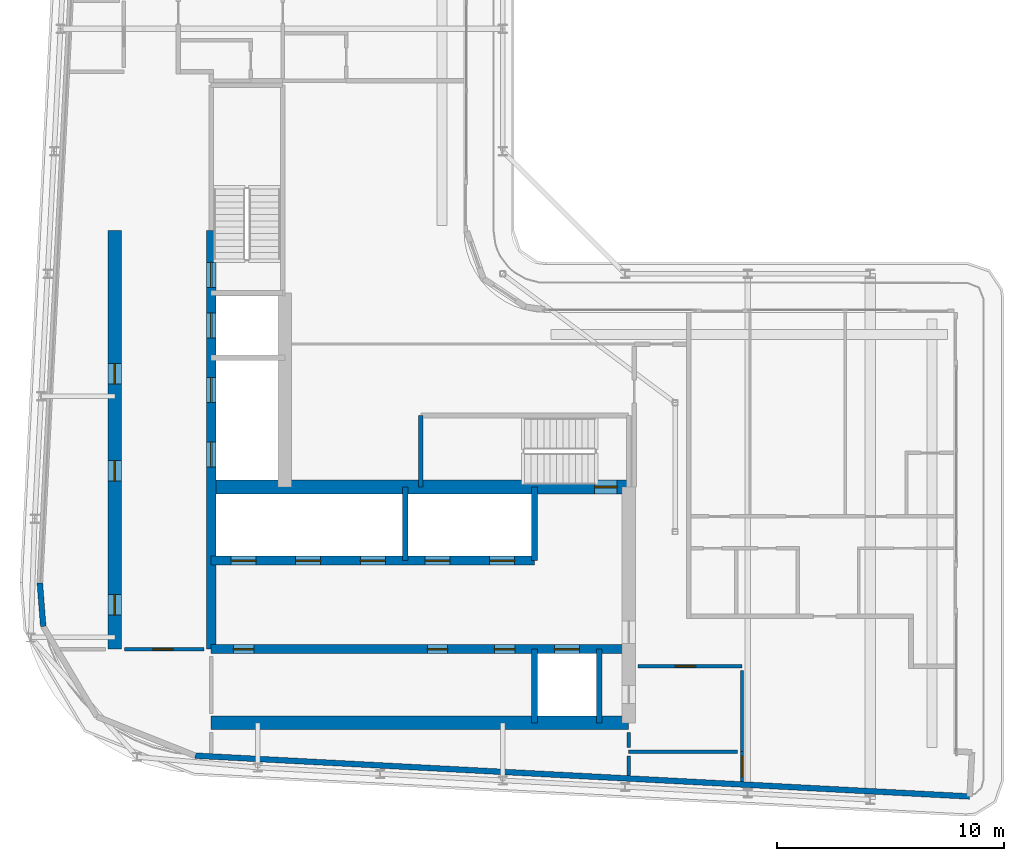
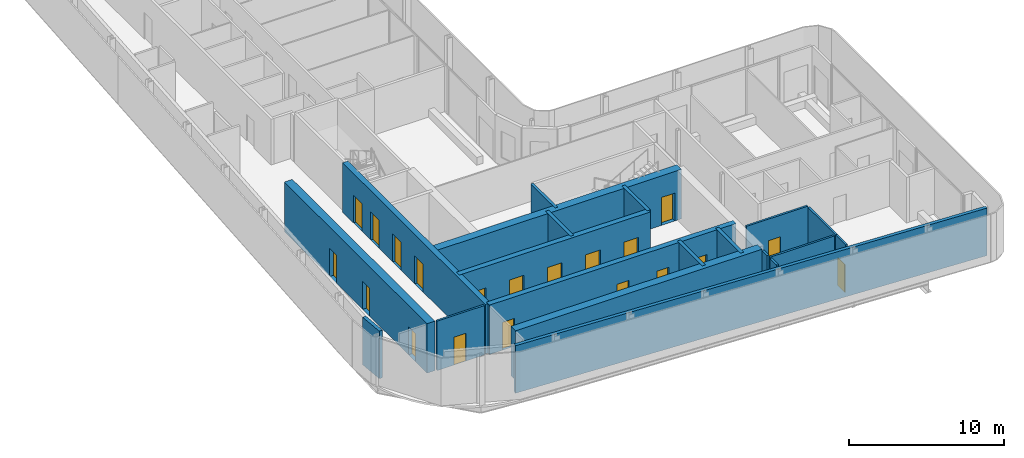
# One storey, part 11 of 21: 20 doors, 20 walls, 20 openings.
"""IFC4 building model written with IfcOpenShell, lengths in metres."""

from ifc_helpers import new_model, si_unit, direction, frame, frame_2d, origin, place, context, subcontext, project, spatial, rectangle, extrude, source, transform, mapped, material, layer, layer_set, type_object, element, fill, save


model = new_model("IFC4")

# Units and contexts
model_context = context("Model", 3, precision=1e-05, world=origin(), true_north=direction((0.0, 1.0)))
body_context = subcontext(model_context, "Body", "Model", "MODEL_VIEW")
ifc_project = project(units=[si_unit("LENGTHUNIT", "METRE"), si_unit("AREAUNIT", "SQUARE_METRE"), si_unit("VOLUMEUNIT", "CUBIC_METRE"), si_unit("PLANEANGLEUNIT", "RADIAN"), si_unit("MASSUNIT", "GRAM", prefix="KILO")], contexts=[model_context])

# Site, building, storey
site_placement = place(None, origin())
site = spatial("IfcSite", under=ifc_project, at=site_placement, CompositionType="ELEMENT")
building_placement = place(site_placement, origin())
building = spatial("IfcBuilding", under=site, at=building_placement, Name="Kheshtan School and Residences Tower", CompositionType="ELEMENT")
storey_placement = place(building_placement, frame((0.0, 0.0, 313.699951171875)))
storey = spatial("IfcBuildingStorey", under=building, at=storey_placement, Name="L74", CompositionType="ELEMENT", Elevation=313.699951171875)

# Wall, openings, doors
ifc_material_1 = material(Name="Concrete C50/60", Category="concrete")
ifc_layer_1 = layer(ifc_material_1, 0.39990234375)
ifc_layer_set_1 = layer_set([ifc_layer_1], Name="Core wall 400 Concrete C50/60")
wall_type_1 = type_object("IfcWallType", Name="Core wall 400 Concrete C50/60", PredefinedType="SHEAR", material=ifc_layer_set_1)
wall_1_placement = place(storey_placement, frame((34.75, 29.050048828125, 0.0), z_axis=(0.0, 0.0, 1.0), x_axis=(1.0, 0.0, 0.0)))
wall_1 = element("IfcWall", 1, at=wall_1_placement, inside=storey, type_object=wall_type_1, Name="Core wall CW-HALL-S1", PredefinedType="SHEAR", context=body_context, shape_type="SweptSolid", body=[
    extrude(rectangle(XDim=18.39990234375, YDim=0.39990234375, at=frame_2d((9.199951171875, 0.0))), origin(), (0.0, 0.0, 1.0), 3.900146484375),
])
opening_1_placement = place(wall_1_placement, frame((15.125, 0.0, 0.0)))
opening_1 = element("IfcOpeningElement", 2, at=opening_1_placement, cuts=wall_1, Name="Opening LD", PredefinedType="OPENING", context=body_context, shape_type="SweptSolid", body=[
    extrude(rectangle(XDim=1.10009765625, YDim=2.199951171875, at=frame_2d((0.550048828125, 1.10009765625))), frame((0.0, 0.2099609375, 0.0), z_axis=(0.0, -1.0, 0.0), x_axis=(1.0, 0.0, 0.0)), (0.0, 0.0, 1.0), 0.419921875),
])
opening_2_placement = place(wall_1_placement, frame((0.97509765625, 0.0, 0.0)))
opening_2 = element("IfcOpeningElement", 3, at=opening_2_placement, cuts=wall_1, Name="Opening SR90", PredefinedType="OPENING", context=body_context, shape_type="SweptSolid", body=[
    extrude(rectangle(XDim=0.89990234375, YDim=2.199951171875, at=frame_2d((0.449951171875, 1.10009765625))), frame((0.0, 0.2099609375, 0.0), z_axis=(0.0, -1.0, 0.0), x_axis=(1.0, 0.0, 0.0)), (0.0, 0.0, 1.0), 0.419921875),
])
opening_3_placement = place(wall_1_placement, frame((9.52490234375, 0.0, 0.0)))
opening_3 = element("IfcOpeningElement", 4, at=opening_3_placement, cuts=wall_1, Name="Opening SR90", PredefinedType="OPENING", context=body_context, shape_type="SweptSolid", body=[
    extrude(rectangle(XDim=0.89990234375, YDim=2.199951171875, at=frame_2d((0.449951171875, 1.10009765625))), frame((0.0, 0.2099609375, 0.0), z_axis=(0.0, -1.0, 0.0), x_axis=(1.0, 0.0, 0.0)), (0.0, 0.0, 1.0), 0.419921875),
])
opening_4_placement = place(wall_1_placement, frame((12.488037109375, 0.0, 0.0)))
opening_4 = element("IfcOpeningElement", 5, at=opening_4_placement, cuts=wall_1, Name="Opening SR90", PredefinedType="OPENING", context=body_context, shape_type="SweptSolid", body=[
    extrude(rectangle(XDim=0.89990234375, YDim=2.199951171875, at=frame_2d((0.449951171875, 1.10009765625))), frame((0.0, 0.2099609375, 0.0), z_axis=(0.0, -1.0, 0.0), x_axis=(1.0, 0.0, 0.0)), (0.0, 0.0, 1.0), 0.419921875),
])
ifc_material_2 = material(Name="Stainless steel door leaves", Category="steel")
door_type_1 = type_object("IfcDoorType", Name="Lift landing door 1100", OperationType="SLIDING_TO_LEFT", PredefinedType="DOOR", material=ifc_material_2)
shared_shape_1 = source(origin(), body_context, "Body", "SweptSolid", [
    extrude(rectangle(XDim=1.10009765625, YDim=2.199951171875, at=frame_2d((0.550048828125, 1.10009765625))), frame((0.0, 0.02490234375, 0.0), z_axis=(0.0, -1.0, 0.0), x_axis=(1.0, 0.0, 0.0)), (0.0, 0.0, 1.0), 0.050048828125),
])
door_1_placement = place(opening_1_placement, origin())
door_1 = element("IfcDoor", 6, at=door_1_placement, inside=storey, type_object=door_type_1, Name="Lift FFL2 landing door", OperationType="SLIDING_TO_LEFT", OverallHeight=2.199951171875, OverallWidth=1.10009765625, PredefinedType="DOOR", context=body_context, shape_type="MappedRepresentation", body=[
    mapped(shared_shape_1, transform((0.0, 0.0, 0.0), x_axis=(1.0, 0.0, 0.0), y_axis=(0.0, 1.0, 0.0), z_axis=(0.0, 0.0, 1.0), scale=1.0)),
])
fill(opening_1, door_1)
ifc_material_3 = material(Name="Steel door leaf, galvanised", Category="steel")
door_type_2 = type_object("IfcDoorType", Name="Service room door 900 steel 90 min", OperationType="SINGLE_SWING_LEFT", PredefinedType="DOOR", material=ifc_material_3)
shared_shape_2 = source(origin(), body_context, "Body", "SweptSolid", [
    extrude(rectangle(XDim=0.89990234375, YDim=2.199951171875, at=frame_2d((0.449951171875, 1.10009765625))), frame((0.0, 0.02490234375, 0.0), z_axis=(0.0, -1.0, 0.0), x_axis=(1.0, 0.0, 0.0)), (0.0, 0.0, 1.0), 0.050048828125),
])
door_2_placement = place(opening_2_placement, origin())
door_2 = element("IfcDoor", 7, at=door_2_placement, inside=storey, type_object=door_type_2, Name="Service room door", OperationType="SINGLE_SWING_LEFT", OverallHeight=2.199951171875, OverallWidth=0.89990234375, PredefinedType="DOOR", context=body_context, shape_type="MappedRepresentation", body=[
    mapped(shared_shape_2, transform((0.0, 0.0, 0.0), x_axis=(1.0, 0.0, 0.0), y_axis=(0.0, 1.0, 0.0), z_axis=(0.0, 0.0, 1.0), scale=1.0)),
])
fill(opening_2, door_2)
door_3_placement = place(opening_3_placement, origin())
door_3 = element("IfcDoor", 8, at=door_3_placement, inside=storey, type_object=door_type_2, Name="Service room door", OperationType="SINGLE_SWING_RIGHT", OverallHeight=2.199951171875, OverallWidth=0.89990234375, PredefinedType="DOOR", context=body_context, shape_type="MappedRepresentation", body=[
    mapped(shared_shape_2, transform((0.0, 0.0, 0.0), x_axis=(1.0, 0.0, 0.0), y_axis=(0.0, 1.0, 0.0), z_axis=(0.0, 0.0, 1.0), scale=1.0)),
])
fill(opening_3, door_3)
door_4_placement = place(opening_4_placement, origin())
door_4 = element("IfcDoor", 9, at=door_4_placement, inside=storey, type_object=door_type_2, Name="Service room door", OperationType="SINGLE_SWING_LEFT", OverallHeight=2.199951171875, OverallWidth=0.89990234375, PredefinedType="DOOR", context=body_context, shape_type="MappedRepresentation", body=[
    mapped(shared_shape_2, transform((0.0, 0.0, 0.0), x_axis=(1.0, 0.0, 0.0), y_axis=(0.0, 1.0, 0.0), z_axis=(0.0, 0.0, 1.0), scale=1.0)),
])
fill(opening_4, door_4)

wall_2_placement = place(storey_placement, frame((34.75, 32.949951171875, 0.0), z_axis=(0.0, 0.0, 1.0), x_axis=(1.0, 0.0, 0.0)))
wall_2 = element("IfcWall", 10, at=wall_2_placement, inside=storey, type_object=wall_type_1, Name="Core wall CW-HALL-S2", PredefinedType="SHEAR", context=body_context, shape_type="SweptSolid", body=[
    extrude(rectangle(XDim=14.25, YDim=0.39990234375, at=frame_2d((7.125, 0.0))), origin(), (0.0, 0.0, 1.0), 3.900146484375),
])
opening_5_placement = place(wall_2_placement, frame((0.875, 0.0, 0.0)))
opening_5 = element("IfcOpeningElement", 11, at=opening_5_placement, cuts=wall_2, Name="Opening LD", PredefinedType="OPENING", context=body_context, shape_type="SweptSolid", body=[
    extrude(rectangle(XDim=1.10009765625, YDim=2.199951171875, at=frame_2d((0.550048828125, 1.10009765625))), frame((0.0, 0.2099609375, 0.0), z_axis=(0.0, -1.0, 0.0), x_axis=(1.0, 0.0, 0.0)), (0.0, 0.0, 1.0), 0.419921875),
])
opening_6_placement = place(wall_2_placement, frame((3.72509765625, 0.0, 0.0)))
opening_6 = element("IfcOpeningElement", 12, at=opening_6_placement, cuts=wall_2, Name="Opening LD", PredefinedType="OPENING", context=body_context, shape_type="SweptSolid", body=[
    extrude(rectangle(XDim=1.10009765625, YDim=2.199951171875, at=frame_2d((0.550048828125, 1.10009765625))), frame((0.0, 0.2099609375, 0.0), z_axis=(0.0, -1.0, 0.0), x_axis=(1.0, 0.0, 0.0)), (0.0, 0.0, 1.0), 0.419921875),
])
opening_7_placement = place(wall_2_placement, frame((6.574951171875, 0.0, 0.0)))
opening_7 = element("IfcOpeningElement", 13, at=opening_7_placement, cuts=wall_2, Name="Opening LD", PredefinedType="OPENING", context=body_context, shape_type="SweptSolid", body=[
    extrude(rectangle(XDim=1.10009765625, YDim=2.199951171875, at=frame_2d((0.550048828125, 1.10009765625))), frame((0.0, 0.2099609375, 0.0), z_axis=(0.0, -1.0, 0.0), x_axis=(1.0, 0.0, 0.0)), (0.0, 0.0, 1.0), 0.419921875),
])
opening_8_placement = place(wall_2_placement, frame((9.425048828125, 0.0, 0.0)))
opening_8 = element("IfcOpeningElement", 14, at=opening_8_placement, cuts=wall_2, Name="Opening LD", PredefinedType="OPENING", context=body_context, shape_type="SweptSolid", body=[
    extrude(rectangle(XDim=1.10009765625, YDim=2.199951171875, at=frame_2d((0.550048828125, 1.10009765625))), frame((0.0, 0.2099609375, 0.0), z_axis=(0.0, -1.0, 0.0), x_axis=(1.0, 0.0, 0.0)), (0.0, 0.0, 1.0), 0.419921875),
])
opening_9_placement = place(wall_2_placement, frame((12.27490234375, 0.0, 0.0)))
opening_9 = element("IfcOpeningElement", 15, at=opening_9_placement, cuts=wall_2, Name="Opening LD", PredefinedType="OPENING", context=body_context, shape_type="SweptSolid", body=[
    extrude(rectangle(XDim=1.10009765625, YDim=2.199951171875, at=frame_2d((0.550048828125, 1.10009765625))), frame((0.0, 0.2099609375, 0.0), z_axis=(0.0, -1.0, 0.0), x_axis=(1.0, 0.0, 0.0)), (0.0, 0.0, 1.0), 0.419921875),
])
door_5_placement = place(opening_5_placement, origin())
door_5 = element("IfcDoor", 16, at=door_5_placement, inside=storey, type_object=door_type_1, Name="Lift P12 landing door", OperationType="SLIDING_TO_LEFT", OverallHeight=2.199951171875, OverallWidth=1.10009765625, PredefinedType="DOOR", context=body_context, shape_type="MappedRepresentation", body=[
    mapped(shared_shape_1, transform((0.0, 0.0, 0.0), x_axis=(1.0, 0.0, 0.0), y_axis=(0.0, 1.0, 0.0), z_axis=(0.0, 0.0, 1.0), scale=1.0)),
])
fill(opening_5, door_5)
door_6_placement = place(opening_6_placement, origin())
door_6 = element("IfcDoor", 17, at=door_6_placement, inside=storey, type_object=door_type_1, Name="Lift P13 landing door", OperationType="SLIDING_TO_LEFT", OverallHeight=2.199951171875, OverallWidth=1.10009765625, PredefinedType="DOOR", context=body_context, shape_type="MappedRepresentation", body=[
    mapped(shared_shape_1, transform((0.0, 0.0, 0.0), x_axis=(1.0, 0.0, 0.0), y_axis=(0.0, 1.0, 0.0), z_axis=(0.0, 0.0, 1.0), scale=1.0)),
])
fill(opening_6, door_6)
door_7_placement = place(opening_7_placement, origin())
door_7 = element("IfcDoor", 18, at=door_7_placement, inside=storey, type_object=door_type_1, Name="Lift P14 landing door", OperationType="SLIDING_TO_LEFT", OverallHeight=2.199951171875, OverallWidth=1.10009765625, PredefinedType="DOOR", context=body_context, shape_type="MappedRepresentation", body=[
    mapped(shared_shape_1, transform((0.0, 0.0, 0.0), x_axis=(1.0, 0.0, 0.0), y_axis=(0.0, 1.0, 0.0), z_axis=(0.0, 0.0, 1.0), scale=1.0)),
])
fill(opening_7, door_7)
door_8_placement = place(opening_8_placement, origin())
door_8 = element("IfcDoor", 19, at=door_8_placement, inside=storey, type_object=door_type_1, Name="Lift P15 landing door", OperationType="SLIDING_TO_LEFT", OverallHeight=2.199951171875, OverallWidth=1.10009765625, PredefinedType="DOOR", context=body_context, shape_type="MappedRepresentation", body=[
    mapped(shared_shape_1, transform((0.0, 0.0, 0.0), x_axis=(1.0, 0.0, 0.0), y_axis=(0.0, 1.0, 0.0), z_axis=(0.0, 0.0, 1.0), scale=1.0)),
])
fill(opening_8, door_8)
door_9_placement = place(opening_9_placement, origin())
door_9 = element("IfcDoor", 20, at=door_9_placement, inside=storey, type_object=door_type_1, Name="Lift P16 landing door", OperationType="SLIDING_TO_LEFT", OverallHeight=2.199951171875, OverallWidth=1.10009765625, PredefinedType="DOOR", context=body_context, shape_type="MappedRepresentation", body=[
    mapped(shared_shape_1, transform((0.0, 0.0, 0.0), x_axis=(1.0, 0.0, 0.0), y_axis=(0.0, 1.0, 0.0), z_axis=(0.0, 0.0, 1.0), scale=1.0)),
])
fill(opening_9, door_9)

wall_3_placement = place(storey_placement, frame((34.75, 29.050048828125, 0.0), z_axis=(0.0, 0.0, 1.0), x_axis=(0.0, 1.0, 0.0)))
wall_3 = element("IfcWall", 21, at=wall_3_placement, inside=storey, type_object=wall_type_1, Name="Core wall CW-HALL-W1", PredefinedType="SHEAR", context=body_context, shape_type="SweptSolid", body=[
    extrude(rectangle(XDim=18.449951171875, YDim=0.39990234375, at=frame_2d((9.22509765625, 0.0))), origin(), (0.0, 0.0, 1.0), 3.900146484375),
])
opening_10_placement = place(wall_3_placement, frame((8.02490234375, 0.0, 0.0)))
opening_10 = element("IfcOpeningElement", 22, at=opening_10_placement, cuts=wall_3, Name="Opening LD", PredefinedType="OPENING", context=body_context, shape_type="SweptSolid", body=[
    extrude(rectangle(XDim=1.10009765625, YDim=2.199951171875, at=frame_2d((0.550048828125, 1.10009765625))), frame((0.0, 0.2099609375, 0.0), z_axis=(0.0, -1.0, 0.0), x_axis=(1.0, 0.0, 0.0)), (0.0, 0.0, 1.0), 0.419921875),
])
opening_11_placement = place(wall_3_placement, frame((10.875, 0.0, 0.0)))
opening_11 = element("IfcOpeningElement", 23, at=opening_11_placement, cuts=wall_3, Name="Opening LD", PredefinedType="OPENING", context=body_context, shape_type="SweptSolid", body=[
    extrude(rectangle(XDim=1.10009765625, YDim=2.199951171875, at=frame_2d((0.550048828125, 1.10009765625))), frame((0.0, 0.2099609375, 0.0), z_axis=(0.0, -1.0, 0.0), x_axis=(1.0, 0.0, 0.0)), (0.0, 0.0, 1.0), 0.419921875),
])
opening_12_placement = place(wall_3_placement, frame((13.72509765625, 0.0, 0.0)))
opening_12 = element("IfcOpeningElement", 24, at=opening_12_placement, cuts=wall_3, Name="Opening LD", PredefinedType="OPENING", context=body_context, shape_type="SweptSolid", body=[
    extrude(rectangle(XDim=1.10009765625, YDim=2.199951171875, at=frame_2d((0.550048828125, 1.10009765625))), frame((0.0, 0.2099609375, 0.0), z_axis=(0.0, -1.0, 0.0), x_axis=(1.0, 0.0, 0.0)), (0.0, 0.0, 1.0), 0.419921875),
])
opening_13_placement = place(wall_3_placement, frame((15.949951171875, 0.0, 0.0)))
opening_13 = element("IfcOpeningElement", 25, at=opening_13_placement, cuts=wall_3, Name="Opening ST2D", PredefinedType="OPENING", context=body_context, shape_type="SweptSolid", body=[
    extrude(rectangle(XDim=1.10009765625, YDim=2.199951171875, at=frame_2d((0.550048828125, 1.10009765625))), frame((0.0, 0.2099609375, 0.0), z_axis=(0.0, -1.0, 0.0), x_axis=(1.0, 0.0, 0.0)), (0.0, 0.0, 1.0), 0.419921875),
])
door_10_placement = place(opening_10_placement, origin())
door_10 = element("IfcDoor", 26, at=door_10_placement, inside=storey, type_object=door_type_1, Name="Lift SV1 landing door", OperationType="SLIDING_TO_LEFT", OverallHeight=2.199951171875, OverallWidth=1.10009765625, PredefinedType="DOOR", context=body_context, shape_type="MappedRepresentation", body=[
    mapped(shared_shape_1, transform((0.0, 0.0, 0.0), x_axis=(1.0, 0.0, 0.0), y_axis=(0.0, 1.0, 0.0), z_axis=(0.0, 0.0, 1.0), scale=1.0)),
])
fill(opening_10, door_10)
door_11_placement = place(opening_11_placement, origin())
door_11 = element("IfcDoor", 27, at=door_11_placement, inside=storey, type_object=door_type_1, Name="Lift SV2 landing door", OperationType="SLIDING_TO_LEFT", OverallHeight=2.199951171875, OverallWidth=1.10009765625, PredefinedType="DOOR", context=body_context, shape_type="MappedRepresentation", body=[
    mapped(shared_shape_1, transform((0.0, 0.0, 0.0), x_axis=(1.0, 0.0, 0.0), y_axis=(0.0, 1.0, 0.0), z_axis=(0.0, 0.0, 1.0), scale=1.0)),
])
fill(opening_11, door_11)
door_12_placement = place(opening_12_placement, origin())
door_12 = element("IfcDoor", 28, at=door_12_placement, inside=storey, type_object=door_type_1, Name="Lift FFL1 landing door", OperationType="SLIDING_TO_LEFT", OverallHeight=2.199951171875, OverallWidth=1.10009765625, PredefinedType="DOOR", context=body_context, shape_type="MappedRepresentation", body=[
    mapped(shared_shape_1, transform((0.0, 0.0, 0.0), x_axis=(1.0, 0.0, 0.0), y_axis=(0.0, 1.0, 0.0), z_axis=(0.0, 0.0, 1.0), scale=1.0)),
])
fill(opening_12, door_12)
door_type_3 = type_object("IfcDoorType", Name="Stair door 1100 steel 90 min", OperationType="SINGLE_SWING_LEFT", PredefinedType="DOOR", material=ifc_material_3)
shared_shape_3 = source(origin(), body_context, "Body", "SweptSolid", [
    extrude(rectangle(XDim=1.10009765625, YDim=2.199951171875, at=frame_2d((0.550048828125, 1.10009765625))), frame((0.0, 0.02490234375, 0.0), z_axis=(0.0, -1.0, 0.0), x_axis=(1.0, 0.0, 0.0)), (0.0, 0.0, 1.0), 0.050048828125),
])
door_13_placement = place(opening_13_placement, origin())
door_13 = element("IfcDoor", 29, at=door_13_placement, inside=storey, type_object=door_type_3, Name="Stair ST2 door", OperationType="SINGLE_SWING_RIGHT", OverallHeight=2.199951171875, OverallWidth=1.10009765625, PredefinedType="DOOR", context=body_context, shape_type="MappedRepresentation", body=[
    mapped(shared_shape_3, transform((0.0, 0.0, 0.0), x_axis=(1.0, 0.0, 0.0), y_axis=(0.0, 1.0, 0.0), z_axis=(0.0, 0.0, 1.0), scale=1.0)),
])
fill(opening_13, door_13)

# Wall
ifc_material_4 = material(Name="Concrete C60/75", Category="concrete")
ifc_layer_2 = layer(ifc_material_4, 0.60009765625)
ifc_layer_set_2 = layer_set([ifc_layer_2], Name="Core wall 600 Concrete C60/75")
wall_type_2 = type_object("IfcWallType", Name="Core wall 600 Concrete C60/75", PredefinedType="SHEAR", material=ifc_layer_set_2)
wall_4_placement = place(storey_placement, frame((34.75, 25.800048828125, 0.0), z_axis=(0.0, 0.0, 1.0), x_axis=(1.0, 0.0, 0.0)))
element("IfcWall", 30, at=wall_4_placement, inside=storey, type_object=wall_type_2, Name="Core wall CW-REAR-S", PredefinedType="SHEAR", context=body_context, shape_type="SweptSolid", body=[
    extrude(rectangle(XDim=18.39990234375, YDim=0.60009765625, at=frame_2d((9.199951171875, 0.0))), origin(), (0.0, 0.0, 1.0), 3.900146484375),
])

# Wall, opening, door
wall_5_placement = place(storey_placement, frame((34.75, 36.199951171875, 0.0), z_axis=(0.0, 0.0, 1.0), x_axis=(1.0, 0.0, 0.0)))
wall_5 = element("IfcWall", 31, at=wall_5_placement, inside=storey, type_object=wall_type_2, Name="Core wall CW-FRONT-S", PredefinedType="SHEAR", context=body_context, shape_type="SweptSolid", body=[
    extrude(rectangle(XDim=18.39990234375, YDim=0.60009765625, at=frame_2d((9.199951171875, 0.0))), origin(), (0.0, 0.0, 1.0), 3.900146484375),
])
opening_14_placement = place(wall_5_placement, frame((16.89990234375, 0.0, 0.0)))
opening_14 = element("IfcOpeningElement", 32, at=opening_14_placement, cuts=wall_5, Name="Opening ST1D", PredefinedType="OPENING", context=body_context, shape_type="SweptSolid", body=[
    extrude(rectangle(XDim=1.0, YDim=2.199951171875, at=frame_2d((0.5, 1.10009765625))), frame((0.0, 0.31005859375, 0.0), z_axis=(0.0, -1.0, 0.0), x_axis=(1.0, 0.0, 0.0)), (0.0, 0.0, 1.0), 0.6201171875),
])
shared_shape_4 = source(origin(), body_context, "Body", "SweptSolid", [
    extrude(rectangle(XDim=1.0, YDim=2.199951171875, at=frame_2d((0.5, 1.10009765625))), frame((0.0, 0.02490234375, 0.0), z_axis=(0.0, -1.0, 0.0), x_axis=(1.0, 0.0, 0.0)), (0.0, 0.0, 1.0), 0.050048828125),
])
door_14_placement = place(opening_14_placement, origin())
door_14 = element("IfcDoor", 33, at=door_14_placement, inside=storey, type_object=door_type_3, Name="Stair ST1 door", OperationType="SINGLE_SWING_RIGHT", OverallHeight=2.199951171875, OverallWidth=1.0, PredefinedType="DOOR", context=body_context, shape_type="MappedRepresentation", body=[
    mapped(shared_shape_4, transform((0.0, 0.0, 0.0), x_axis=(1.0, 0.0, 0.0), y_axis=(0.0, 1.0, 0.0), z_axis=(0.0, 0.0, 1.0), scale=1.0)),
])
fill(opening_14, door_14)

# Wall, openings, doors
wall_6_placement = place(storey_placement, frame((30.5, 29.050048828125, 0.0), z_axis=(0.0, 0.0, 1.0), x_axis=(0.0, 1.0, 0.0)))
wall_6 = element("IfcWall", 34, at=wall_6_placement, inside=storey, type_object=wall_type_2, Name="Core wall CW-REAR-W", PredefinedType="SHEAR", context=body_context, shape_type="SweptSolid", body=[
    extrude(rectangle(XDim=18.449951171875, YDim=0.60009765625, at=frame_2d((9.22509765625, 0.0))), origin(), (0.0, 0.0, 1.0), 3.900146484375),
])
opening_15_placement = place(wall_6_placement, frame((1.5, 0.0, 0.0)))
opening_15 = element("IfcOpeningElement", 35, at=opening_15_placement, cuts=wall_6, Name="Opening SR90", PredefinedType="OPENING", context=body_context, shape_type="SweptSolid", body=[
    extrude(rectangle(XDim=0.89990234375, YDim=2.199951171875, at=frame_2d((0.449951171875, 1.10009765625))), frame((0.0, 0.31005859375, 0.0), z_axis=(0.0, -1.0, 0.0), x_axis=(1.0, 0.0, 0.0)), (0.0, 0.0, 1.0), 0.6201171875),
])
opening_16_placement = place(wall_6_placement, frame((7.406005859375, 0.0, 0.0)))
opening_16 = element("IfcOpeningElement", 36, at=opening_16_placement, cuts=wall_6, Name="Opening SR90", PredefinedType="OPENING", context=body_context, shape_type="SweptSolid", body=[
    extrude(rectangle(XDim=0.89990234375, YDim=2.199951171875, at=frame_2d((0.449951171875, 1.10009765625))), frame((0.0, 0.31005859375, 0.0), z_axis=(0.0, -1.0, 0.0), x_axis=(1.0, 0.0, 0.0)), (0.0, 0.0, 1.0), 0.6201171875),
])
opening_17_placement = place(wall_6_placement, frame((11.68798828125, 0.0, 0.0)))
opening_17 = element("IfcOpeningElement", 37, at=opening_17_placement, cuts=wall_6, Name="Opening SR90", PredefinedType="OPENING", context=body_context, shape_type="SweptSolid", body=[
    extrude(rectangle(XDim=0.89990234375, YDim=2.199951171875, at=frame_2d((0.449951171875, 1.10009765625))), frame((0.0, 0.31005859375, 0.0), z_axis=(0.0, -1.0, 0.0), x_axis=(1.0, 0.0, 0.0)), (0.0, 0.0, 1.0), 0.6201171875),
])
door_15_placement = place(opening_15_placement, origin())
door_15 = element("IfcDoor", 38, at=door_15_placement, inside=storey, type_object=door_type_2, Name="Service room door", OperationType="SINGLE_SWING_LEFT", OverallHeight=2.199951171875, OverallWidth=0.89990234375, PredefinedType="DOOR", context=body_context, shape_type="MappedRepresentation", body=[
    mapped(shared_shape_2, transform((0.0, 0.0, 0.0), x_axis=(1.0, 0.0, 0.0), y_axis=(0.0, 1.0, 0.0), z_axis=(0.0, 0.0, 1.0), scale=1.0)),
])
fill(opening_15, door_15)
door_16_placement = place(opening_16_placement, origin())
door_16 = element("IfcDoor", 39, at=door_16_placement, inside=storey, type_object=door_type_2, Name="Service room door", OperationType="SINGLE_SWING_RIGHT", OverallHeight=2.199951171875, OverallWidth=0.89990234375, PredefinedType="DOOR", context=body_context, shape_type="MappedRepresentation", body=[
    mapped(shared_shape_2, transform((0.0, 0.0, 0.0), x_axis=(1.0, 0.0, 0.0), y_axis=(0.0, 1.0, 0.0), z_axis=(0.0, 0.0, 1.0), scale=1.0)),
])
fill(opening_16, door_16)
door_17_placement = place(opening_17_placement, origin())
door_17 = element("IfcDoor", 40, at=door_17_placement, inside=storey, type_object=door_type_2, Name="Service room door", OperationType="SINGLE_SWING_LEFT", OverallHeight=2.199951171875, OverallWidth=0.89990234375, PredefinedType="DOOR", context=body_context, shape_type="MappedRepresentation", body=[
    mapped(shared_shape_2, transform((0.0, 0.0, 0.0), x_axis=(1.0, 0.0, 0.0), y_axis=(0.0, 1.0, 0.0), z_axis=(0.0, 0.0, 1.0), scale=1.0)),
])
fill(opening_17, door_17)

# Walls
ifc_material_5 = material(Name="Concrete C40/50 with ceramic cladding and mineral wool insulation", Category="concrete")
ifc_layer_3 = layer(ifc_material_5, 0.25)
ifc_layer_set_3 = layer_set([ifc_layer_3], Name="External wall 250 ceramic clad")
wall_type_3 = type_object("IfcWallType", Name="External wall 250 ceramic clad", PredefinedType="SOLIDWALL", material=ifc_layer_set_3)
wall_7_placement = place(storey_placement, frame((27.343994140625, 30.054931640625, 0.0), z_axis=(0.0, 0.0, 1.0), x_axis=(-0.077571675317, 0.99698677784, 0.0)))
element("IfcWall", 41, at=wall_7_placement, inside=storey, type_object=wall_type_3, Name="External wall L74 3", PredefinedType="SOLIDWALL", context=body_context, shape_type="SweptSolid", body=[
    extrude(rectangle(XDim=1.919921875, YDim=0.25, at=frame_2d((0.9599609375, 0.0))), origin(), (0.0, 0.0, 1.0), 3.75),
])
wall_8_placement = place(storey_placement, frame((68.18603515625, 22.554931640625, 0.0), z_axis=(0.0, 0.0, 1.0), x_axis=(-0.998616468095, 0.052584690257, 0.0)))
element("IfcWall", 42, at=wall_8_placement, inside=storey, type_object=wall_type_3, Name="External wall L74 16", PredefinedType="SOLIDWALL", context=body_context, shape_type="SweptSolid", body=[
    extrude(rectangle(XDim=34.1943359375, YDim=0.25, at=frame_2d((17.09716796875, 0.0))), origin(), (0.0, 0.0, 1.0), 3.75),
])

# Wall, opening, door
ifc_material_6 = material(Name="Fire-board shaft wall system")
ifc_layer_4 = layer(ifc_material_6, 0.14990234375)
ifc_layer_set_4 = layer_set([ifc_layer_4], Name="Service room wall 150")
wall_type_4 = type_object("IfcWallType", Name="Service room wall 150", PredefinedType="PARTITIONING", material=ifc_layer_set_4)
wall_9_placement = place(storey_placement, frame((30.919921875, 29.050048828125, 0.0), z_axis=(0.0, 0.0, 1.0), x_axis=(1.0, 0.0, 0.0)))
wall_9 = element("IfcWall", 43, at=wall_9_placement, inside=storey, type_object=wall_type_4, Name="Service room wall", PredefinedType="PARTITIONING", context=body_context, shape_type="SweptSolid", body=[
    extrude(rectangle(XDim=3.510009765625, YDim=0.14990234375, at=frame_2d((1.7548828125, 0.0))), origin(), (0.0, 0.0, 1.0), 3.900146484375),
])
opening_18_placement = place(wall_9_placement, frame((1.2548828125, 0.0, 0.0)))
opening_18 = element("IfcOpeningElement", 44, at=opening_18_placement, cuts=wall_9, Name="Opening SR90", PredefinedType="OPENING", context=body_context, shape_type="SweptSolid", body=[
    extrude(rectangle(XDim=0.89990234375, YDim=2.199951171875, at=frame_2d((0.449951171875, 1.10009765625))), frame((0.0, 0.0849609375, 0.0), z_axis=(0.0, -1.0, 0.0), x_axis=(1.0, 0.0, 0.0)), (0.0, 0.0, 1.0), 0.169921875),
])
door_18_placement = place(opening_18_placement, origin())
door_18 = element("IfcDoor", 45, at=door_18_placement, inside=storey, type_object=door_type_2, Name="Service room door", OperationType="SINGLE_SWING_RIGHT", OverallHeight=2.199951171875, OverallWidth=0.89990234375, PredefinedType="DOOR", context=body_context, shape_type="MappedRepresentation", body=[
    mapped(shared_shape_2, transform((0.0, 0.0, 0.0), x_axis=(1.0, 0.0, 0.0), y_axis=(0.0, 1.0, 0.0), z_axis=(0.0, 0.0, 1.0), scale=1.0)),
])
fill(opening_18, door_18)

wall_10_placement = place(storey_placement, frame((58.14990234375, 23.2109375, 0.0), z_axis=(0.0, 0.0, 1.0), x_axis=(0.0, 1.0, 0.0)))
wall_10 = element("IfcWall", 46, at=wall_10_placement, inside=storey, type_object=wall_type_4, Name="Service room wall", PredefinedType="PARTITIONING", context=body_context, shape_type="SweptSolid", body=[
    extrude(rectangle(XDim=1.317138671875, YDim=0.14990234375, at=frame_2d((0.65869140625, 0.0))), origin(), (0.0, 0.0, 1.0), 3.900146484375),
])
opening_19_placement = place(wall_10_placement, frame((0.222900390625, 0.0, 0.0)))
opening_19 = element("IfcOpeningElement", 47, at=opening_19_placement, cuts=wall_10, Name="Opening SR90", PredefinedType="OPENING", context=body_context, shape_type="SweptSolid", body=[
    extrude(rectangle(XDim=0.89990234375, YDim=2.199951171875, at=frame_2d((0.449951171875, 1.10009765625))), frame((0.0, 0.0849609375, 0.0), z_axis=(0.0, -1.0, 0.0), x_axis=(1.0, 0.0, 0.0)), (0.0, 0.0, 1.0), 0.169921875),
])
door_19_placement = place(opening_19_placement, origin())
door_19 = element("IfcDoor", 48, at=door_19_placement, inside=storey, type_object=door_type_2, Name="Service room door", OperationType="SINGLE_SWING_LEFT", OverallHeight=2.199951171875, OverallWidth=0.89990234375, PredefinedType="DOOR", context=body_context, shape_type="MappedRepresentation", body=[
    mapped(shared_shape_2, transform((0.0, 0.0, 0.0), x_axis=(1.0, 0.0, 0.0), y_axis=(0.0, 1.0, 0.0), z_axis=(0.0, 0.0, 1.0), scale=1.0)),
])
fill(opening_19, door_19)

# Walls
wall_11_placement = place(storey_placement, frame((53.14990234375, 24.528076171875, 0.0), z_axis=(0.0, 0.0, 1.0), x_axis=(1.0, 0.0, 0.0)))
element("IfcWall", 49, at=wall_11_placement, inside=storey, type_object=wall_type_4, Name="Service room wall", PredefinedType="PARTITIONING", context=body_context, shape_type="SweptSolid", body=[
    extrude(rectangle(XDim=4.80517578125, YDim=0.14990234375, at=frame_2d((2.402587890625, 0.0))), origin(), (0.0, 0.0, 1.0), 3.900146484375),
])
wall_12_placement = place(storey_placement, frame((53.14990234375, 23.47509765625, 0.0), z_axis=(0.0, 0.0, 1.0), x_axis=(0.0, 1.0, 0.0)))
element("IfcWall", 50, at=wall_12_placement, inside=storey, type_object=wall_type_4, Name="Service room wall", PredefinedType="PARTITIONING", context=body_context, shape_type="SweptSolid", body=[
    extrude(rectangle(XDim=0.85791015625, YDim=0.14990234375, at=frame_2d((0.428955078125, 0.0))), origin(), (0.0, 0.0, 1.0), 3.900146484375),
])

# Wall, opening, door
wall_13_placement = place(storey_placement, frame((53.570068359375, 28.300048828125, 0.0), z_axis=(0.0, 0.0, 1.0), x_axis=(1.0, 0.0, 0.0)))
wall_13 = element("IfcWall", 51, at=wall_13_placement, inside=storey, type_object=wall_type_4, Name="Service room wall", PredefinedType="PARTITIONING", context=body_context, shape_type="SweptSolid", body=[
    extrude(rectangle(XDim=4.579833984375, YDim=0.14990234375, at=frame_2d((2.2900390625, 0.0))), origin(), (0.0, 0.0, 1.0), 3.900146484375),
])
opening_20_placement = place(wall_13_placement, frame((1.6298828125, 0.0, 0.0)))
opening_20 = element("IfcOpeningElement", 52, at=opening_20_placement, cuts=wall_13, Name="Opening SR90", PredefinedType="OPENING", context=body_context, shape_type="SweptSolid", body=[
    extrude(rectangle(XDim=0.89990234375, YDim=2.199951171875, at=frame_2d((0.449951171875, 1.10009765625))), frame((0.0, 0.0849609375, 0.0), z_axis=(0.0, -1.0, 0.0), x_axis=(1.0, 0.0, 0.0)), (0.0, 0.0, 1.0), 0.169921875),
])
door_20_placement = place(opening_20_placement, origin())
door_20 = element("IfcDoor", 53, at=door_20_placement, inside=storey, type_object=door_type_2, Name="Service room door", OperationType="SINGLE_SWING_LEFT", OverallHeight=2.199951171875, OverallWidth=0.89990234375, PredefinedType="DOOR", context=body_context, shape_type="MappedRepresentation", body=[
    mapped(shared_shape_2, transform((0.0, 0.0, 0.0), x_axis=(1.0, 0.0, 0.0), y_axis=(0.0, 1.0, 0.0), z_axis=(0.0, 0.0, 1.0), scale=1.0)),
])
fill(opening_20, door_20)

# Walls
wall_14_placement = place(storey_placement, frame((53.14990234375, 24.722900390625, 0.0), z_axis=(0.0, 0.0, 1.0), x_axis=(0.0, 1.0, 0.0)))
element("IfcWall", 54, at=wall_14_placement, inside=storey, type_object=wall_type_4, Name="Service room wall", PredefinedType="PARTITIONING", context=body_context, shape_type="SweptSolid", body=[
    extrude(rectangle(XDim=0.656982421875, YDim=0.14990234375, at=frame_2d((0.32861328125, 0.0))), origin(), (0.0, 0.0, 1.0), 3.900146484375),
])
wall_15_placement = place(storey_placement, frame((58.14990234375, 24.528076171875, 0.0), z_axis=(0.0, 0.0, 1.0), x_axis=(0.0, 1.0, 0.0)))
element("IfcWall", 55, at=wall_15_placement, inside=storey, type_object=wall_type_4, Name="Service room wall", PredefinedType="PARTITIONING", context=body_context, shape_type="SweptSolid", body=[
    extrude(rectangle(XDim=3.576904296875, YDim=0.14990234375, at=frame_2d((1.78857421875, 0.0))), origin(), (0.0, 0.0, 1.0), 3.900146484375),
])
ifc_layer_5 = layer(ifc_material_6, 0.25)
ifc_layer_set_5 = layer_set([ifc_layer_5], Name="Shaft lining wall 250")
wall_type_5 = type_object("IfcWallType", Name="Shaft lining wall 250", PredefinedType="PARTITIONING", material=ifc_layer_set_5)
for number, where, z_axis, x_axis, name in (
    (56, (43.300048828125, 32.949951171875, 0.0), (0.0, 0.0, 1.0), (0.0, 1.0, 0.0), "Shaft lining wall"),
    (57, (49.0, 25.800048828125, 0.0), (0.0, 0.0, 1.0), (0.0, 1.0, 0.0), "Shaft lining wall"),
    (58, (49.0, 32.949951171875, 0.0), (0.0, 0.0, 1.0), (0.0, 1.0, 0.0), "Shaft lining wall"),
    (59, (51.85009765625, 25.800048828125, 0.0), (0.0, 0.0, 1.0), (0.0, 1.0, 0.0), "Shaft lining wall"),
):
    element("IfcWall", number, at=place(storey_placement, frame(where, z_axis=z_axis, x_axis=x_axis)), inside=storey, type_object=wall_type_5, Name=name, PredefinedType="PARTITIONING", context=body_context, shape_type="SweptSolid", body=[
        extrude(rectangle(XDim=3.25, YDim=0.25, at=frame_2d((1.625, 0.0))), origin(), (0.0, 0.0, 1.0), 3.900146484375),
    ])
ifc_material_7 = material(Name="Concrete C40/50", Category="concrete")
ifc_layer_6 = layer(ifc_material_7, 0.199951171875)
ifc_layer_set_6 = layer_set([ifc_layer_6], Name="Stair enclosure wall 200 Concrete C40/50")
wall_type_6 = type_object("IfcWallType", Name="Stair enclosure wall 200 Concrete C40/50", PredefinedType="SHEAR", material=ifc_layer_set_6)
wall_16_placement = place(storey_placement, frame((43.989990234375, 36.199951171875, 0.0), z_axis=(0.0, 0.0, 1.0), x_axis=(0.0, 1.0, 0.0)))
element("IfcWall", 60, at=wall_16_placement, inside=storey, type_object=wall_type_6, Name="Stair enclosure wall ST1", PredefinedType="SHEAR", context=body_context, shape_type="SweptSolid", body=[
    extrude(rectangle(XDim=3.150146484375, YDim=0.199951171875, at=frame_2d((1.5751953125, 0.0))), origin(), (0.0, 0.0, 1.0), 3.900146484375),
])

save(model, "model.ifc")
